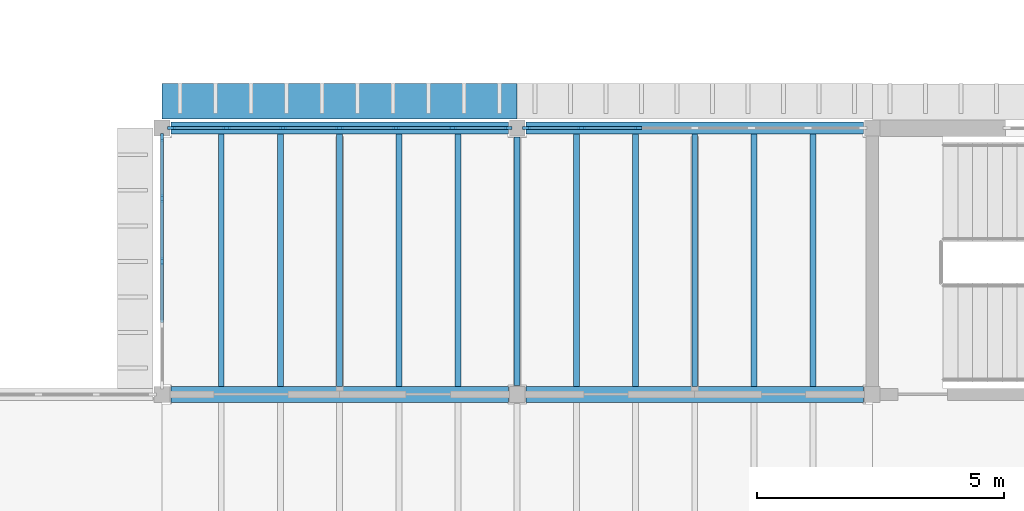
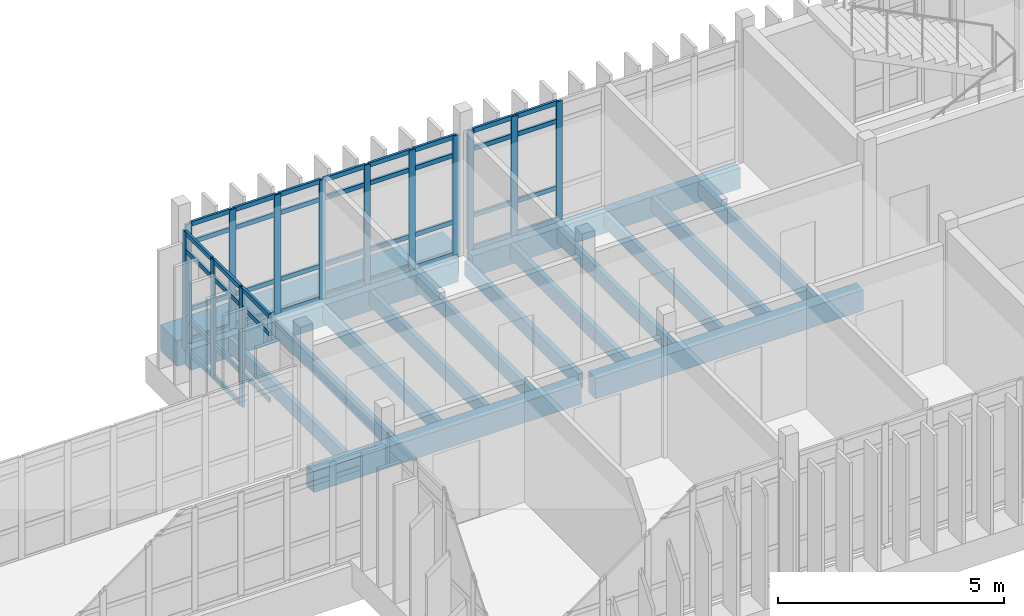
# One storey, part 17 of 71: 57 members, 15 beams, 3 elements without a shape of their own.
"""IFC4 building model written with IfcOpenShell, lengths in metres."""

from ifc_helpers import new_model, si_unit, direction, frame, origin, origin_2d, place, context, subcontext, project, spatial, rectangle, extrude, material, layer, layer_set, material_profile, profile_set, type_object, element, aggregate, save


model = new_model("IFC4")

# Units and contexts
model_context = context("Model", 3, precision=1e-05, world=origin(), true_north=direction((0.0, 1.0)))
body_context = subcontext(model_context, "Body", "Model", "MODEL_VIEW")
ifc_project = project(units=[si_unit("LENGTHUNIT", "METRE"), si_unit("AREAUNIT", "SQUARE_METRE"), si_unit("VOLUMEUNIT", "CUBIC_METRE"), si_unit("PLANEANGLEUNIT", "RADIAN"), si_unit("MASSUNIT", "GRAM", prefix="KILO")], contexts=[model_context])

# Site, building, storey
site_placement = place(None, origin())
site = spatial("IfcSite", under=ifc_project, at=site_placement, CompositionType="ELEMENT")
building_placement = place(site_placement, origin())
building = spatial("IfcBuilding", under=site, at=building_placement, Name="Mazhai Court Health Centre", CompositionType="ELEMENT")
storey_placement = place(building_placement, frame((0.0, 0.0, 10.199951171875)))
storey = spatial("IfcBuildingStorey", under=building, at=storey_placement, Name="L02", CompositionType="ELEMENT", Elevation=10.199951171875)

# Curtain wall, members
ifc_material_1 = material(Name="Teak timber frame, glazed", Category="wood")
ifc_layer = layer(ifc_material_1, 0.10009765625)
ifc_layer_set = layer_set([ifc_layer], Name="CURTAIN WALL TIMBER 1200")
curtain_wall_type = type_object("IfcCurtainWallType", Name="CURTAIN WALL TIMBER 1200", PredefinedType="NOTDEFINED", material=ifc_layer_set)
curtain_wall_1_placement = place(storey_placement, origin())
curtain_wall_1 = element("IfcCurtainWall", 1, at=curtain_wall_1_placement, inside=storey, type_object=curtain_wall_type, Name="CW-V4-L02-B5", PredefinedType="NOTDEFINED")
ifc_material_2 = material(Name="Teak timber", Category="wood")
ifc_material_profile_1 = material_profile(ifc_material_2, rectangle(XDim=0.06005859375, YDim=0.159912109375, at=origin_2d()), Name="CW MULLION 60x160")
ifc_profile_set_1 = profile_set([ifc_material_profile_1], Name="Teak timber")
member_type_1 = type_object("IfcMemberType", Name="CW MULLION 60x160", PredefinedType="MULLION", material=ifc_profile_set_1)
member_1_placement = place(storey_placement, frame((107.18994140625, 27.800048828125, 0.0), z_axis=(0.0, 0.0, 1.0), x_axis=(0.0, 1.0, 0.0)))
member_1 = element("IfcMember", 2, at=member_1_placement, type_object=member_type_1, Name="CW mullion 1", PredefinedType="MULLION", context=body_context, shape_type="SweptSolid", body=[
    extrude(rectangle(XDim=0.06005859375, YDim=0.159912109375, at=origin_2d()), origin(), (0.0, 0.0, 1.0), 3.219970703125),
])
member_2_placement = place(storey_placement, frame((108.306640625, 27.800048828125, 0.0), z_axis=(0.0, 0.0, 1.0), x_axis=(0.0, 1.0, 0.0)))
member_2 = element("IfcMember", 3, at=member_2_placement, type_object=member_type_1, Name="CW mullion 2", PredefinedType="MULLION", context=body_context, shape_type="SweptSolid", body=[
    extrude(rectangle(XDim=0.06005859375, YDim=0.159912109375, at=origin_2d()), origin(), (0.0, 0.0, 1.0), 3.219970703125),
])
member_3_placement = place(storey_placement, frame((109.453369140625, 27.800048828125, 0.0), z_axis=(0.0, 0.0, 1.0), x_axis=(0.0, 1.0, 0.0)))
member_3 = element("IfcMember", 4, at=member_3_placement, type_object=member_type_1, Name="CW mullion 3", PredefinedType="MULLION", context=body_context, shape_type="SweptSolid", body=[
    extrude(rectangle(XDim=0.06005859375, YDim=0.159912109375, at=origin_2d()), origin(), (0.0, 0.0, 1.0), 3.219970703125),
])
member_4_placement = place(storey_placement, frame((110.60009765625, 27.800048828125, 0.0), z_axis=(0.0, 0.0, 1.0), x_axis=(0.0, 1.0, 0.0)))
member_4 = element("IfcMember", 5, at=member_4_placement, type_object=member_type_1, Name="CW mullion 4", PredefinedType="MULLION", context=body_context, shape_type="SweptSolid", body=[
    extrude(rectangle(XDim=0.06005859375, YDim=0.159912109375, at=origin_2d()), origin(), (0.0, 0.0, 1.0), 3.219970703125),
])
member_5_placement = place(storey_placement, frame((111.74658203125, 27.800048828125, 0.0), z_axis=(0.0, 0.0, 1.0), x_axis=(0.0, 1.0, 0.0)))
member_5 = element("IfcMember", 6, at=member_5_placement, type_object=member_type_1, Name="CW mullion 5", PredefinedType="MULLION", context=body_context, shape_type="SweptSolid", body=[
    extrude(rectangle(XDim=0.06005859375, YDim=0.159912109375, at=origin_2d()), origin(), (0.0, 0.0, 1.0), 3.219970703125),
])
member_6_placement = place(storey_placement, frame((112.893310546875, 27.800048828125, 0.0), z_axis=(0.0, 0.0, 1.0), x_axis=(0.0, 1.0, 0.0)))
member_6 = element("IfcMember", 7, at=member_6_placement, type_object=member_type_1, Name="CW mullion 6", PredefinedType="MULLION", context=body_context, shape_type="SweptSolid", body=[
    extrude(rectangle(XDim=0.06005859375, YDim=0.159912109375, at=origin_2d()), origin(), (0.0, 0.0, 1.0), 3.219970703125),
])
member_7_placement = place(storey_placement, frame((114.010009765625, 27.800048828125, 0.0), z_axis=(0.0, 0.0, 1.0), x_axis=(0.0, 1.0, 0.0)))
member_7 = element("IfcMember", 8, at=member_7_placement, type_object=member_type_1, Name="CW mullion 7", PredefinedType="MULLION", context=body_context, shape_type="SweptSolid", body=[
    extrude(rectangle(XDim=0.06005859375, YDim=0.159912109375, at=origin_2d()), origin(), (0.0, 0.0, 1.0), 3.219970703125),
])

curtain_wall_2_placement = place(storey_placement, origin())
curtain_wall_2 = element("IfcCurtainWall", 9, at=curtain_wall_2_placement, inside=storey, type_object=curtain_wall_type, Name="CW-V4-L02-B6", PredefinedType="NOTDEFINED")
member_8_placement = place(storey_placement, frame((114.389892578125, 27.800048828125, 0.0), z_axis=(0.0, 0.0, 1.0), x_axis=(0.0, 1.0, 0.0)))
member_8 = element("IfcMember", 10, at=member_8_placement, type_object=member_type_1, Name="CW mullion 1", PredefinedType="MULLION", context=body_context, shape_type="SweptSolid", body=[
    extrude(rectangle(XDim=0.06005859375, YDim=0.159912109375, at=origin_2d()), origin(), (0.0, 0.0, 1.0), 3.219970703125),
])
member_9_placement = place(storey_placement, frame((115.506591796875, 27.800048828125, 0.0), z_axis=(0.0, 0.0, 1.0), x_axis=(0.0, 1.0, 0.0)))
member_9 = element("IfcMember", 11, at=member_9_placement, type_object=member_type_1, Name="CW mullion 2", PredefinedType="MULLION", context=body_context, shape_type="SweptSolid", body=[
    extrude(rectangle(XDim=0.06005859375, YDim=0.159912109375, at=origin_2d()), origin(), (0.0, 0.0, 1.0), 3.219970703125),
])
member_10_placement = place(storey_placement, frame((116.6533203125, 27.800048828125, 0.0), z_axis=(0.0, 0.0, 1.0), x_axis=(0.0, 1.0, 0.0)))
member_10 = element("IfcMember", 12, at=member_10_placement, type_object=member_type_1, Name="CW mullion 3", PredefinedType="MULLION", context=body_context, shape_type="SweptSolid", body=[
    extrude(rectangle(XDim=0.06005859375, YDim=0.159912109375, at=origin_2d()), origin(), (0.0, 0.0, 1.0), 3.219970703125),
])

curtain_wall_3_placement = place(storey_placement, origin())
curtain_wall_3 = element("IfcCurtainWall", 13, at=curtain_wall_3_placement, inside=storey, type_object=curtain_wall_type, Name="CW-V4-L02-CW5-1", PredefinedType="NOTDEFINED")
member_11_placement = place(storey_placement, frame((107.0, 25.10009765625, 0.0), z_axis=(0.0, 0.0, 1.0), x_axis=(-1.0, 0.0, 0.0)))
member_11 = element("IfcMember", 14, at=member_11_placement, type_object=member_type_1, Name="CW mullion 3", PredefinedType="MULLION", context=body_context, shape_type="SweptSolid", body=[
    extrude(rectangle(XDim=0.06005859375, YDim=0.159912109375, at=origin_2d()), origin(), (0.0, 0.0, 1.0), 3.199951171875),
])
member_12_placement = place(storey_placement, frame((107.0, 26.3701171875, 0.0), z_axis=(0.0, 0.0, 1.0), x_axis=(-1.0, 0.0, 0.0)))
member_12 = element("IfcMember", 15, at=member_12_placement, type_object=member_type_1, Name="CW mullion 4", PredefinedType="MULLION", context=body_context, shape_type="SweptSolid", body=[
    extrude(rectangle(XDim=0.06005859375, YDim=0.159912109375, at=origin_2d()), origin(), (0.0, 0.0, 1.0), 3.199951171875),
])
member_13_placement = place(storey_placement, frame((107.0, 27.610107421875, 0.0), z_axis=(0.0, 0.0, 1.0), x_axis=(-1.0, 0.0, 0.0)))
member_13 = element("IfcMember", 16, at=member_13_placement, type_object=member_type_1, Name="CW mullion 5", PredefinedType="MULLION", context=body_context, shape_type="SweptSolid", body=[
    extrude(rectangle(XDim=0.06005859375, YDim=0.159912109375, at=origin_2d()), origin(), (0.0, 0.0, 1.0), 3.199951171875),
])

# Member
ifc_material_3 = material(Name="Teak timber", Category="wood")
ifc_material_profile_2 = material_profile(ifc_material_3, rectangle(XDim=0.06005859375, YDim=0.1201171875, at=origin_2d()), Name="CW TRANSOM 60x120")
ifc_profile_set_2 = profile_set([ifc_material_profile_2], Name="Teak timber")
member_type_2 = type_object("IfcMemberType", Name="CW TRANSOM 60x120", PredefinedType="USERDEFINED", material=ifc_profile_set_2)
member_14_placement = place(storey_placement, frame((107.219970703125, 27.800048828125, 0.030029296875), z_axis=(1.0, 0.0, 0.0), x_axis=(0.0, 1.0, 0.0)))
member_14 = element("IfcMember", 17, at=member_14_placement, type_object=member_type_2, Name="CW transom 1.1", ObjectType="TRANSOM", PredefinedType="USERDEFINED", context=body_context, shape_type="SweptSolid", body=[
    extrude(rectangle(XDim=0.06005859375, YDim=0.1201171875, at=origin_2d()), origin(), (0.0, 0.0, 1.0), 1.056640625),
])

member_15_placement = place(storey_placement, frame((107.219970703125, 27.800048828125, 0.900146484375), z_axis=(1.0, 0.0, 0.0), x_axis=(0.0, 1.0, 0.0)))
member_15 = element("IfcMember", 18, at=member_15_placement, type_object=member_type_2, Name="CW transom 1.2", ObjectType="TRANSOM", PredefinedType="USERDEFINED", context=body_context, shape_type="SweptSolid", body=[
    extrude(rectangle(XDim=0.06005859375, YDim=0.1201171875, at=origin_2d()), origin(), (0.0, 0.0, 1.0), 1.056640625),
])

member_16_placement = place(storey_placement, frame((107.219970703125, 27.800048828125, 2.699951171875), z_axis=(1.0, 0.0, 0.0), x_axis=(0.0, 1.0, 0.0)))
member_16 = element("IfcMember", 19, at=member_16_placement, type_object=member_type_2, Name="CW transom 1.3", ObjectType="TRANSOM", PredefinedType="USERDEFINED", context=body_context, shape_type="SweptSolid", body=[
    extrude(rectangle(XDim=0.06005859375, YDim=0.1201171875, at=origin_2d()), origin(), (0.0, 0.0, 1.0), 1.056640625),
])

member_17_placement = place(storey_placement, frame((107.219970703125, 27.800048828125, 3.18994140625), z_axis=(1.0, 0.0, 0.0), x_axis=(0.0, 1.0, 0.0)))
member_17 = element("IfcMember", 20, at=member_17_placement, type_object=member_type_2, Name="CW transom 1.4", ObjectType="TRANSOM", PredefinedType="USERDEFINED", context=body_context, shape_type="SweptSolid", body=[
    extrude(rectangle(XDim=0.06005859375, YDim=0.1201171875, at=origin_2d()), origin(), (0.0, 0.0, 1.0), 1.056640625),
])

member_18_placement = place(storey_placement, frame((108.336669921875, 27.800048828125, 0.030029296875), z_axis=(1.0, 0.0, 0.0), x_axis=(0.0, 1.0, 0.0)))
member_18 = element("IfcMember", 21, at=member_18_placement, type_object=member_type_2, Name="CW transom 2.1", ObjectType="TRANSOM", PredefinedType="USERDEFINED", context=body_context, shape_type="SweptSolid", body=[
    extrude(rectangle(XDim=0.06005859375, YDim=0.1201171875, at=origin_2d()), origin(), (0.0, 0.0, 1.0), 1.086669921875),
])

member_19_placement = place(storey_placement, frame((108.336669921875, 27.800048828125, 0.900146484375), z_axis=(1.0, 0.0, 0.0), x_axis=(0.0, 1.0, 0.0)))
member_19 = element("IfcMember", 22, at=member_19_placement, type_object=member_type_2, Name="CW transom 2.2", ObjectType="TRANSOM", PredefinedType="USERDEFINED", context=body_context, shape_type="SweptSolid", body=[
    extrude(rectangle(XDim=0.06005859375, YDim=0.1201171875, at=origin_2d()), origin(), (0.0, 0.0, 1.0), 1.086669921875),
])

member_20_placement = place(storey_placement, frame((108.336669921875, 27.800048828125, 2.699951171875), z_axis=(1.0, 0.0, 0.0), x_axis=(0.0, 1.0, 0.0)))
member_20 = element("IfcMember", 23, at=member_20_placement, type_object=member_type_2, Name="CW transom 2.3", ObjectType="TRANSOM", PredefinedType="USERDEFINED", context=body_context, shape_type="SweptSolid", body=[
    extrude(rectangle(XDim=0.06005859375, YDim=0.1201171875, at=origin_2d()), origin(), (0.0, 0.0, 1.0), 1.086669921875),
])

member_21_placement = place(storey_placement, frame((108.336669921875, 27.800048828125, 3.18994140625), z_axis=(1.0, 0.0, 0.0), x_axis=(0.0, 1.0, 0.0)))
member_21 = element("IfcMember", 24, at=member_21_placement, type_object=member_type_2, Name="CW transom 2.4", ObjectType="TRANSOM", PredefinedType="USERDEFINED", context=body_context, shape_type="SweptSolid", body=[
    extrude(rectangle(XDim=0.06005859375, YDim=0.1201171875, at=origin_2d()), origin(), (0.0, 0.0, 1.0), 1.086669921875),
])

member_22_placement = place(storey_placement, frame((109.4833984375, 27.800048828125, 0.030029296875), z_axis=(1.0, 0.0, 0.0), x_axis=(0.0, 1.0, 0.0)))
member_22 = element("IfcMember", 25, at=member_22_placement, type_object=member_type_2, Name="CW transom 3.1", ObjectType="TRANSOM", PredefinedType="USERDEFINED", context=body_context, shape_type="SweptSolid", body=[
    extrude(rectangle(XDim=0.06005859375, YDim=0.1201171875, at=origin_2d()), origin(), (0.0, 0.0, 1.0), 1.086669921875),
])

member_23_placement = place(storey_placement, frame((109.4833984375, 27.800048828125, 0.900146484375), z_axis=(1.0, 0.0, 0.0), x_axis=(0.0, 1.0, 0.0)))
member_23 = element("IfcMember", 26, at=member_23_placement, type_object=member_type_2, Name="CW transom 3.2", ObjectType="TRANSOM", PredefinedType="USERDEFINED", context=body_context, shape_type="SweptSolid", body=[
    extrude(rectangle(XDim=0.06005859375, YDim=0.1201171875, at=origin_2d()), origin(), (0.0, 0.0, 1.0), 1.086669921875),
])

member_24_placement = place(storey_placement, frame((109.4833984375, 27.800048828125, 2.699951171875), z_axis=(1.0, 0.0, 0.0), x_axis=(0.0, 1.0, 0.0)))
member_24 = element("IfcMember", 27, at=member_24_placement, type_object=member_type_2, Name="CW transom 3.3", ObjectType="TRANSOM", PredefinedType="USERDEFINED", context=body_context, shape_type="SweptSolid", body=[
    extrude(rectangle(XDim=0.06005859375, YDim=0.1201171875, at=origin_2d()), origin(), (0.0, 0.0, 1.0), 1.086669921875),
])

member_25_placement = place(storey_placement, frame((109.4833984375, 27.800048828125, 3.18994140625), z_axis=(1.0, 0.0, 0.0), x_axis=(0.0, 1.0, 0.0)))
member_25 = element("IfcMember", 28, at=member_25_placement, type_object=member_type_2, Name="CW transom 3.4", ObjectType="TRANSOM", PredefinedType="USERDEFINED", context=body_context, shape_type="SweptSolid", body=[
    extrude(rectangle(XDim=0.06005859375, YDim=0.1201171875, at=origin_2d()), origin(), (0.0, 0.0, 1.0), 1.086669921875),
])

member_26_placement = place(storey_placement, frame((110.6298828125, 27.800048828125, 0.030029296875), z_axis=(1.0, 0.0, 0.0), x_axis=(0.0, 1.0, 0.0)))
member_26 = element("IfcMember", 29, at=member_26_placement, type_object=member_type_2, Name="CW transom 4.1", ObjectType="TRANSOM", PredefinedType="USERDEFINED", context=body_context, shape_type="SweptSolid", body=[
    extrude(rectangle(XDim=0.06005859375, YDim=0.1201171875, at=origin_2d()), origin(), (0.0, 0.0, 1.0), 1.086669921875),
])

member_27_placement = place(storey_placement, frame((110.6298828125, 27.800048828125, 0.900146484375), z_axis=(1.0, 0.0, 0.0), x_axis=(0.0, 1.0, 0.0)))
member_27 = element("IfcMember", 30, at=member_27_placement, type_object=member_type_2, Name="CW transom 4.2", ObjectType="TRANSOM", PredefinedType="USERDEFINED", context=body_context, shape_type="SweptSolid", body=[
    extrude(rectangle(XDim=0.06005859375, YDim=0.1201171875, at=origin_2d()), origin(), (0.0, 0.0, 1.0), 1.086669921875),
])

member_28_placement = place(storey_placement, frame((110.6298828125, 27.800048828125, 2.699951171875), z_axis=(1.0, 0.0, 0.0), x_axis=(0.0, 1.0, 0.0)))
member_28 = element("IfcMember", 31, at=member_28_placement, type_object=member_type_2, Name="CW transom 4.3", ObjectType="TRANSOM", PredefinedType="USERDEFINED", context=body_context, shape_type="SweptSolid", body=[
    extrude(rectangle(XDim=0.06005859375, YDim=0.1201171875, at=origin_2d()), origin(), (0.0, 0.0, 1.0), 1.086669921875),
])

member_29_placement = place(storey_placement, frame((110.6298828125, 27.800048828125, 3.18994140625), z_axis=(1.0, 0.0, 0.0), x_axis=(0.0, 1.0, 0.0)))
member_29 = element("IfcMember", 32, at=member_29_placement, type_object=member_type_2, Name="CW transom 4.4", ObjectType="TRANSOM", PredefinedType="USERDEFINED", context=body_context, shape_type="SweptSolid", body=[
    extrude(rectangle(XDim=0.06005859375, YDim=0.1201171875, at=origin_2d()), origin(), (0.0, 0.0, 1.0), 1.086669921875),
])

member_30_placement = place(storey_placement, frame((111.776611328125, 27.800048828125, 0.030029296875), z_axis=(1.0, 0.0, 0.0), x_axis=(0.0, 1.0, 0.0)))
member_30 = element("IfcMember", 33, at=member_30_placement, type_object=member_type_2, Name="CW transom 5.1", ObjectType="TRANSOM", PredefinedType="USERDEFINED", context=body_context, shape_type="SweptSolid", body=[
    extrude(rectangle(XDim=0.06005859375, YDim=0.1201171875, at=origin_2d()), origin(), (0.0, 0.0, 1.0), 1.086669921875),
])

member_31_placement = place(storey_placement, frame((111.776611328125, 27.800048828125, 0.900146484375), z_axis=(1.0, 0.0, 0.0), x_axis=(0.0, 1.0, 0.0)))
member_31 = element("IfcMember", 34, at=member_31_placement, type_object=member_type_2, Name="CW transom 5.2", ObjectType="TRANSOM", PredefinedType="USERDEFINED", context=body_context, shape_type="SweptSolid", body=[
    extrude(rectangle(XDim=0.06005859375, YDim=0.1201171875, at=origin_2d()), origin(), (0.0, 0.0, 1.0), 1.086669921875),
])

member_32_placement = place(storey_placement, frame((111.776611328125, 27.800048828125, 2.699951171875), z_axis=(1.0, 0.0, 0.0), x_axis=(0.0, 1.0, 0.0)))
member_32 = element("IfcMember", 35, at=member_32_placement, type_object=member_type_2, Name="CW transom 5.3", ObjectType="TRANSOM", PredefinedType="USERDEFINED", context=body_context, shape_type="SweptSolid", body=[
    extrude(rectangle(XDim=0.06005859375, YDim=0.1201171875, at=origin_2d()), origin(), (0.0, 0.0, 1.0), 1.086669921875),
])

member_33_placement = place(storey_placement, frame((111.776611328125, 27.800048828125, 3.18994140625), z_axis=(1.0, 0.0, 0.0), x_axis=(0.0, 1.0, 0.0)))
member_33 = element("IfcMember", 36, at=member_33_placement, type_object=member_type_2, Name="CW transom 5.4", ObjectType="TRANSOM", PredefinedType="USERDEFINED", context=body_context, shape_type="SweptSolid", body=[
    extrude(rectangle(XDim=0.06005859375, YDim=0.1201171875, at=origin_2d()), origin(), (0.0, 0.0, 1.0), 1.086669921875),
])

member_34_placement = place(storey_placement, frame((112.92333984375, 27.800048828125, 0.030029296875), z_axis=(1.0, 0.0, 0.0), x_axis=(0.0, 1.0, 0.0)))
member_34 = element("IfcMember", 37, at=member_34_placement, type_object=member_type_2, Name="CW transom 6.1", ObjectType="TRANSOM", PredefinedType="USERDEFINED", context=body_context, shape_type="SweptSolid", body=[
    extrude(rectangle(XDim=0.06005859375, YDim=0.1201171875, at=origin_2d()), origin(), (0.0, 0.0, 1.0), 1.056640625),
])

member_35_placement = place(storey_placement, frame((112.92333984375, 27.800048828125, 0.900146484375), z_axis=(1.0, 0.0, 0.0), x_axis=(0.0, 1.0, 0.0)))
member_35 = element("IfcMember", 38, at=member_35_placement, type_object=member_type_2, Name="CW transom 6.2", ObjectType="TRANSOM", PredefinedType="USERDEFINED", context=body_context, shape_type="SweptSolid", body=[
    extrude(rectangle(XDim=0.06005859375, YDim=0.1201171875, at=origin_2d()), origin(), (0.0, 0.0, 1.0), 1.056640625),
])

member_36_placement = place(storey_placement, frame((112.92333984375, 27.800048828125, 2.699951171875), z_axis=(1.0, 0.0, 0.0), x_axis=(0.0, 1.0, 0.0)))
member_36 = element("IfcMember", 39, at=member_36_placement, type_object=member_type_2, Name="CW transom 6.3", ObjectType="TRANSOM", PredefinedType="USERDEFINED", context=body_context, shape_type="SweptSolid", body=[
    extrude(rectangle(XDim=0.06005859375, YDim=0.1201171875, at=origin_2d()), origin(), (0.0, 0.0, 1.0), 1.056640625),
])

member_37_placement = place(storey_placement, frame((112.92333984375, 27.800048828125, 3.18994140625), z_axis=(1.0, 0.0, 0.0), x_axis=(0.0, 1.0, 0.0)))
member_37 = element("IfcMember", 40, at=member_37_placement, type_object=member_type_2, Name="CW transom 6.4", ObjectType="TRANSOM", PredefinedType="USERDEFINED", context=body_context, shape_type="SweptSolid", body=[
    extrude(rectangle(XDim=0.06005859375, YDim=0.1201171875, at=origin_2d()), origin(), (0.0, 0.0, 1.0), 1.056640625),
])

aggregate(curtain_wall_1, [member_1, member_2, member_3, member_4, member_5, member_6, member_7, member_14, member_15, member_16, member_17, member_18, member_19, member_20, member_21, member_22, member_23, member_24, member_25, member_26, member_27, member_28, member_29, member_30, member_31, member_32, member_33, member_34, member_35, member_36, member_37])

member_38_placement = place(storey_placement, frame((114.419921875, 27.800048828125, 0.030029296875), z_axis=(1.0, 0.0, 0.0), x_axis=(0.0, 1.0, 0.0)))
member_38 = element("IfcMember", 41, at=member_38_placement, type_object=member_type_2, Name="CW transom 1.1", ObjectType="TRANSOM", PredefinedType="USERDEFINED", context=body_context, shape_type="SweptSolid", body=[
    extrude(rectangle(XDim=0.06005859375, YDim=0.1201171875, at=origin_2d()), origin(), (0.0, 0.0, 1.0), 1.056640625),
])

member_39_placement = place(storey_placement, frame((114.419921875, 27.800048828125, 0.900146484375), z_axis=(1.0, 0.0, 0.0), x_axis=(0.0, 1.0, 0.0)))
member_39 = element("IfcMember", 42, at=member_39_placement, type_object=member_type_2, Name="CW transom 1.2", ObjectType="TRANSOM", PredefinedType="USERDEFINED", context=body_context, shape_type="SweptSolid", body=[
    extrude(rectangle(XDim=0.06005859375, YDim=0.1201171875, at=origin_2d()), origin(), (0.0, 0.0, 1.0), 1.056640625),
])

member_40_placement = place(storey_placement, frame((114.419921875, 27.800048828125, 2.699951171875), z_axis=(1.0, 0.0, 0.0), x_axis=(0.0, 1.0, 0.0)))
member_40 = element("IfcMember", 43, at=member_40_placement, type_object=member_type_2, Name="CW transom 1.3", ObjectType="TRANSOM", PredefinedType="USERDEFINED", context=body_context, shape_type="SweptSolid", body=[
    extrude(rectangle(XDim=0.06005859375, YDim=0.1201171875, at=origin_2d()), origin(), (0.0, 0.0, 1.0), 1.056640625),
])

member_41_placement = place(storey_placement, frame((114.419921875, 27.800048828125, 3.18994140625), z_axis=(1.0, 0.0, 0.0), x_axis=(0.0, 1.0, 0.0)))
member_41 = element("IfcMember", 44, at=member_41_placement, type_object=member_type_2, Name="CW transom 1.4", ObjectType="TRANSOM", PredefinedType="USERDEFINED", context=body_context, shape_type="SweptSolid", body=[
    extrude(rectangle(XDim=0.06005859375, YDim=0.1201171875, at=origin_2d()), origin(), (0.0, 0.0, 1.0), 1.056640625),
])

member_42_placement = place(storey_placement, frame((115.53662109375, 27.800048828125, 0.030029296875), z_axis=(1.0, 0.0, 0.0), x_axis=(0.0, 1.0, 0.0)))
member_42 = element("IfcMember", 45, at=member_42_placement, type_object=member_type_2, Name="CW transom 2.1", ObjectType="TRANSOM", PredefinedType="USERDEFINED", context=body_context, shape_type="SweptSolid", body=[
    extrude(rectangle(XDim=0.06005859375, YDim=0.1201171875, at=origin_2d()), origin(), (0.0, 0.0, 1.0), 1.086669921875),
])

member_43_placement = place(storey_placement, frame((115.53662109375, 27.800048828125, 0.900146484375), z_axis=(1.0, 0.0, 0.0), x_axis=(0.0, 1.0, 0.0)))
member_43 = element("IfcMember", 46, at=member_43_placement, type_object=member_type_2, Name="CW transom 2.2", ObjectType="TRANSOM", PredefinedType="USERDEFINED", context=body_context, shape_type="SweptSolid", body=[
    extrude(rectangle(XDim=0.06005859375, YDim=0.1201171875, at=origin_2d()), origin(), (0.0, 0.0, 1.0), 1.086669921875),
])

member_44_placement = place(storey_placement, frame((115.53662109375, 27.800048828125, 2.699951171875), z_axis=(1.0, 0.0, 0.0), x_axis=(0.0, 1.0, 0.0)))
member_44 = element("IfcMember", 47, at=member_44_placement, type_object=member_type_2, Name="CW transom 2.3", ObjectType="TRANSOM", PredefinedType="USERDEFINED", context=body_context, shape_type="SweptSolid", body=[
    extrude(rectangle(XDim=0.06005859375, YDim=0.1201171875, at=origin_2d()), origin(), (0.0, 0.0, 1.0), 1.086669921875),
])

member_45_placement = place(storey_placement, frame((115.53662109375, 27.800048828125, 3.18994140625), z_axis=(1.0, 0.0, 0.0), x_axis=(0.0, 1.0, 0.0)))
member_45 = element("IfcMember", 48, at=member_45_placement, type_object=member_type_2, Name="CW transom 2.4", ObjectType="TRANSOM", PredefinedType="USERDEFINED", context=body_context, shape_type="SweptSolid", body=[
    extrude(rectangle(XDim=0.06005859375, YDim=0.1201171875, at=origin_2d()), origin(), (0.0, 0.0, 1.0), 1.086669921875),
])

aggregate(curtain_wall_2, [member_8, member_9, member_10, member_38, member_39, member_40, member_41, member_42, member_43, member_44, member_45])

member_46_placement = place(storey_placement, frame((107.0, 23.860107421875, 0.900146484375), z_axis=(0.0, 1.0, 0.0), x_axis=(-1.0, 0.0, 0.0)))
member_46 = element("IfcMember", 49, at=member_46_placement, type_object=member_type_2, Name="CW transom 2.2", ObjectType="TRANSOM", PredefinedType="USERDEFINED", context=body_context, shape_type="SweptSolid", body=[
    extrude(rectangle(XDim=0.06005859375, YDim=0.1201171875, at=origin_2d()), origin(), (0.0, 0.0, 1.0), 1.2099609375),
])

member_47_placement = place(storey_placement, frame((107.0, 23.860107421875, 2.699951171875), z_axis=(0.0, 1.0, 0.0), x_axis=(-1.0, 0.0, 0.0)))
member_47 = element("IfcMember", 50, at=member_47_placement, type_object=member_type_2, Name="CW transom 2.3", ObjectType="TRANSOM", PredefinedType="USERDEFINED", context=body_context, shape_type="SweptSolid", body=[
    extrude(rectangle(XDim=0.06005859375, YDim=0.1201171875, at=origin_2d()), origin(), (0.0, 0.0, 1.0), 1.2099609375),
])

member_48_placement = place(storey_placement, frame((107.0, 23.860107421875, 3.170166015625), z_axis=(0.0, 1.0, 0.0), x_axis=(-1.0, 0.0, 0.0)))
member_48 = element("IfcMember", 51, at=member_48_placement, type_object=member_type_2, Name="CW transom 2.4", ObjectType="TRANSOM", PredefinedType="USERDEFINED", context=body_context, shape_type="SweptSolid", body=[
    extrude(rectangle(XDim=0.06005859375, YDim=0.1201171875, at=origin_2d()), origin(), (0.0, 0.0, 1.0), 1.2099609375),
])

member_49_placement = place(storey_placement, frame((107.0, 25.1298828125, 0.030029296875), z_axis=(0.0, 1.0, 0.0), x_axis=(-1.0, 0.0, 0.0)))
member_49 = element("IfcMember", 52, at=member_49_placement, type_object=member_type_2, Name="CW transom 3.1", ObjectType="TRANSOM", PredefinedType="USERDEFINED", context=body_context, shape_type="SweptSolid", body=[
    extrude(rectangle(XDim=0.06005859375, YDim=0.1201171875, at=origin_2d()), origin(), (0.0, 0.0, 1.0), 1.210205078125),
])

member_50_placement = place(storey_placement, frame((107.0, 25.1298828125, 0.900146484375), z_axis=(0.0, 1.0, 0.0), x_axis=(-1.0, 0.0, 0.0)))
member_50 = element("IfcMember", 53, at=member_50_placement, type_object=member_type_2, Name="CW transom 3.2", ObjectType="TRANSOM", PredefinedType="USERDEFINED", context=body_context, shape_type="SweptSolid", body=[
    extrude(rectangle(XDim=0.06005859375, YDim=0.1201171875, at=origin_2d()), origin(), (0.0, 0.0, 1.0), 1.210205078125),
])

member_51_placement = place(storey_placement, frame((107.0, 25.1298828125, 2.699951171875), z_axis=(0.0, 1.0, 0.0), x_axis=(-1.0, 0.0, 0.0)))
member_51 = element("IfcMember", 54, at=member_51_placement, type_object=member_type_2, Name="CW transom 3.3", ObjectType="TRANSOM", PredefinedType="USERDEFINED", context=body_context, shape_type="SweptSolid", body=[
    extrude(rectangle(XDim=0.06005859375, YDim=0.1201171875, at=origin_2d()), origin(), (0.0, 0.0, 1.0), 1.210205078125),
])

member_52_placement = place(storey_placement, frame((107.0, 25.1298828125, 3.170166015625), z_axis=(0.0, 1.0, 0.0), x_axis=(-1.0, 0.0, 0.0)))
member_52 = element("IfcMember", 55, at=member_52_placement, type_object=member_type_2, Name="CW transom 3.4", ObjectType="TRANSOM", PredefinedType="USERDEFINED", context=body_context, shape_type="SweptSolid", body=[
    extrude(rectangle(XDim=0.06005859375, YDim=0.1201171875, at=origin_2d()), origin(), (0.0, 0.0, 1.0), 1.210205078125),
])

member_53_placement = place(storey_placement, frame((107.0, 26.39990234375, 0.030029296875), z_axis=(0.0, 1.0, 0.0), x_axis=(-1.0, 0.0, 0.0)))
member_53 = element("IfcMember", 56, at=member_53_placement, type_object=member_type_2, Name="CW transom 4.1", ObjectType="TRANSOM", PredefinedType="USERDEFINED", context=body_context, shape_type="SweptSolid", body=[
    extrude(rectangle(XDim=0.06005859375, YDim=0.1201171875, at=origin_2d()), origin(), (0.0, 0.0, 1.0), 1.18017578125),
])

member_54_placement = place(storey_placement, frame((107.0, 26.39990234375, 0.900146484375), z_axis=(0.0, 1.0, 0.0), x_axis=(-1.0, 0.0, 0.0)))
member_54 = element("IfcMember", 57, at=member_54_placement, type_object=member_type_2, Name="CW transom 4.2", ObjectType="TRANSOM", PredefinedType="USERDEFINED", context=body_context, shape_type="SweptSolid", body=[
    extrude(rectangle(XDim=0.06005859375, YDim=0.1201171875, at=origin_2d()), origin(), (0.0, 0.0, 1.0), 1.18017578125),
])

member_55_placement = place(storey_placement, frame((107.0, 26.39990234375, 2.699951171875), z_axis=(0.0, 1.0, 0.0), x_axis=(-1.0, 0.0, 0.0)))
member_55 = element("IfcMember", 58, at=member_55_placement, type_object=member_type_2, Name="CW transom 4.3", ObjectType="TRANSOM", PredefinedType="USERDEFINED", context=body_context, shape_type="SweptSolid", body=[
    extrude(rectangle(XDim=0.06005859375, YDim=0.1201171875, at=origin_2d()), origin(), (0.0, 0.0, 1.0), 1.18017578125),
])

member_56_placement = place(storey_placement, frame((107.0, 26.39990234375, 3.170166015625), z_axis=(0.0, 1.0, 0.0), x_axis=(-1.0, 0.0, 0.0)))
member_56 = element("IfcMember", 59, at=member_56_placement, type_object=member_type_2, Name="CW transom 4.4", ObjectType="TRANSOM", PredefinedType="USERDEFINED", context=body_context, shape_type="SweptSolid", body=[
    extrude(rectangle(XDim=0.06005859375, YDim=0.1201171875, at=origin_2d()), origin(), (0.0, 0.0, 1.0), 1.18017578125),
])

aggregate(curtain_wall_3, [member_11, member_12, member_13, member_46, member_47, member_48, member_49, member_50, member_51, member_52, member_53, member_54, member_55, member_56])

ifc_material_4 = material(Name="Glulam GL24h", Category="wood")
ifc_material_profile_3 = material_profile(ifc_material_4, rectangle(XDim=0.719970703125, YDim=0.699951171875, at=origin_2d()), Name="FIN RAIL 720x700")
ifc_profile_set_3 = profile_set([ifc_material_profile_3], Name="Glulam GL24h")
member_type_3 = type_object("IfcMemberType", Name="FIN RAIL 720x700", PredefinedType="USERDEFINED", material=ifc_profile_set_3)
member_57_placement = place(storey_placement, frame((107.0, 28.340087890625, -0.349853515625), z_axis=(1.0, 0.0, 0.0), x_axis=(0.0, 1.0, 0.0)))
element("IfcMember", 60, at=member_57_placement, inside=storey, type_object=member_type_3, Name="FR-V4-B3-L02", ObjectType="FIN RAIL", PredefinedType="USERDEFINED", context=body_context, shape_type="SweptSolid", body=[
    extrude(rectangle(XDim=0.719970703125, YDim=0.699951171875, at=origin_2d()), origin(), (0.0, 0.0, 1.0), 7.199951171875),
])

# Beams
ifc_material_5 = material(Name="Glulam GL24h", Category="wood")
ifc_material_profile_4 = material_profile(ifc_material_5, rectangle(XDim=0.1201171875, YDim=0.39990234375, at=origin_2d()), Name="GL24h 120x400")
ifc_profile_set_4 = profile_set([ifc_material_profile_4], Name="Glulam GL24h")
beam_type_1 = type_object("IfcBeamType", Name="GL24h 120x400 joist", PredefinedType="JOIST", material=ifc_profile_set_4)
for number, where, z_axis, x_axis, name in (
    (61, (108.199951171875, 22.56005859375, -0.320068359375), (0.0, 1.0, 0.0), (-1.0, 0.0, 0.0), "joist-V4-L02-5-C1"),
    (62, (109.39990234375, 22.56005859375, -0.320068359375), (0.0, 1.0, 0.0), (-1.0, 0.0, 0.0), "joist-V4-L02-5-C2"),
    (63, (110.60009765625, 22.56005859375, -0.320068359375), (0.0, 1.0, 0.0), (-1.0, 0.0, 0.0), "joist-V4-L02-5-C3"),
    (64, (111.800048828125, 22.56005859375, -0.320068359375), (0.0, 1.0, 0.0), (-1.0, 0.0, 0.0), "joist-V4-L02-5-C4"),
    (65, (113.0, 22.56005859375, -0.320068359375), (0.0, 1.0, 0.0), (-1.0, 0.0, 0.0), "joist-V4-L02-5-C5"),
):
    element("IfcBeam", number, at=place(storey_placement, frame(where, z_axis=z_axis, x_axis=x_axis)), inside=storey, type_object=beam_type_1, Name=name, PredefinedType="JOIST", context=body_context, shape_type="SweptSolid", body=[
        extrude(rectangle(XDim=0.1201171875, YDim=0.39990234375, at=origin_2d()), origin(), (0.0, 0.0, 1.0), 5.119873046875),
    ])
beam_placement = place(storey_placement, frame((114.199951171875, 22.580078125, -0.320068359375), z_axis=(0.0, 1.0, 0.0), x_axis=(-1.0, 0.0, 0.0)))
element("IfcBeam", 66, at=beam_placement, inside=storey, type_object=beam_type_1, Name="joist-V4-L02-6-C0", PredefinedType="JOIST", context=body_context, shape_type="SweptSolid", body=[
    extrude(rectangle(XDim=0.1201171875, YDim=0.39990234375, at=origin_2d()), origin(), (0.0, 0.0, 1.0), 5.0400390625),
])
for number, where, z_axis, x_axis, name in (
    (67, (115.39990234375, 22.56005859375, -0.320068359375), (0.0, 1.0, 0.0), (-1.0, 0.0, 0.0), "joist-V4-L02-6-C1"),
    (68, (116.60009765625, 22.56005859375, -0.320068359375), (0.0, 1.0, 0.0), (-1.0, 0.0, 0.0), "joist-V4-L02-6-C2"),
    (69, (117.800048828125, 22.56005859375, -0.320068359375), (0.0, 1.0, 0.0), (-1.0, 0.0, 0.0), "joist-V4-L02-6-C3"),
    (70, (119.0, 22.56005859375, -0.320068359375), (0.0, 1.0, 0.0), (-1.0, 0.0, 0.0), "joist-V4-L02-6-C4"),
    (71, (120.199951171875, 22.56005859375, -0.320068359375), (0.0, 1.0, 0.0), (-1.0, 0.0, 0.0), "joist-V4-L02-6-C5"),
):
    element("IfcBeam", number, at=place(storey_placement, frame(where, z_axis=z_axis, x_axis=x_axis)), inside=storey, type_object=beam_type_1, Name=name, PredefinedType="JOIST", context=body_context, shape_type="SweptSolid", body=[
        extrude(rectangle(XDim=0.1201171875, YDim=0.39990234375, at=origin_2d()), origin(), (0.0, 0.0, 1.0), 5.119873046875),
    ])
ifc_material_6 = material(Name="Glulam GL28h", Category="wood")
ifc_material_profile_5 = material_profile(ifc_material_6, rectangle(XDim=0.239990234375, YDim=0.56005859375, at=origin_2d()), Name="GL28h 240x560")
ifc_profile_set_5 = profile_set([ifc_material_profile_5], Name="Glulam GL28h")
beam_type_2 = type_object("IfcBeamType", Name="GL28h 240x560 beam", PredefinedType="BEAM", material=ifc_profile_set_5)
for number, where, z_axis, x_axis, name in (
    (72, (107.179931640625, 27.800048828125, -0.39990234375), (1.0, 0.0, 0.0), (0.0, 1.0, 0.0), "beam-V4-L02-5-D"),
    (73, (114.3798828125, 27.800048828125, -0.39990234375), (1.0, 0.0, 0.0), (0.0, 1.0, 0.0), "beam-V4-L02-6-D"),
):
    element("IfcBeam", number, at=place(storey_placement, frame(where, z_axis=z_axis, x_axis=x_axis)), inside=storey, type_object=beam_type_2, Name=name, PredefinedType="BEAM", context=body_context, shape_type="SweptSolid", body=[
        extrude(rectangle(XDim=0.239990234375, YDim=0.56005859375, at=origin_2d()), origin(), (0.0, 0.0, 1.0), 6.840087890625),
    ])
ifc_material_7 = material(Name="Glulam GL28h", Category="wood")
ifc_material_profile_6 = material_profile(ifc_material_7, rectangle(XDim=0.320068359375, YDim=0.56005859375, at=origin_2d()), Name="GL28h 320x560")
ifc_profile_set_6 = profile_set([ifc_material_profile_6], Name="Glulam GL28h")
beam_type_3 = type_object("IfcBeamType", Name="GL28h 320x560 beam", PredefinedType="BEAM", material=ifc_profile_set_6)
for number, where, z_axis, x_axis, name in (
    (74, (107.179931640625, 22.39990234375, -0.39990234375), (1.0, 0.0, 0.0), (0.0, 1.0, 0.0), "beam-V4-L02-5-C"),
    (75, (114.3798828125, 22.39990234375, -0.39990234375), (1.0, 0.0, 0.0), (0.0, 1.0, 0.0), "beam-V4-L02-6-C"),
):
    element("IfcBeam", number, at=place(storey_placement, frame(where, z_axis=z_axis, x_axis=x_axis)), inside=storey, type_object=beam_type_3, Name=name, PredefinedType="BEAM", context=body_context, shape_type="SweptSolid", body=[
        extrude(rectangle(XDim=0.320068359375, YDim=0.56005859375, at=origin_2d()), origin(), (0.0, 0.0, 1.0), 6.840087890625),
    ])

save(model, "model.ifc")
